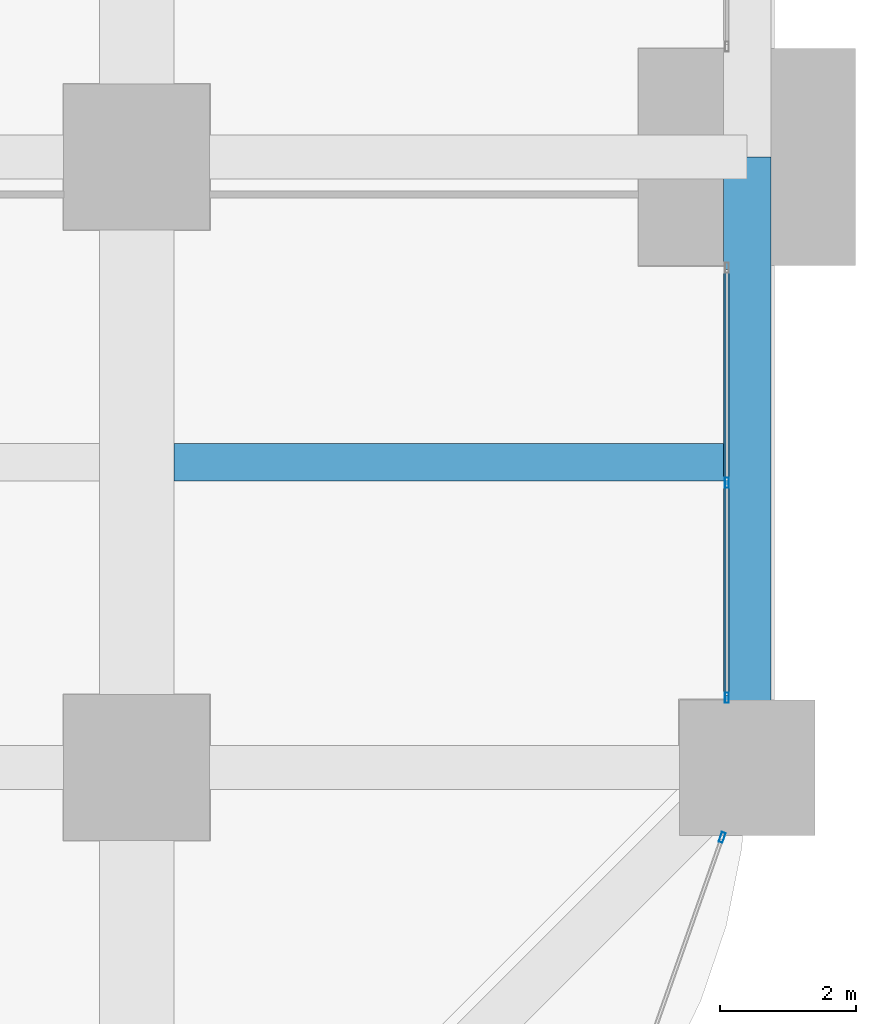
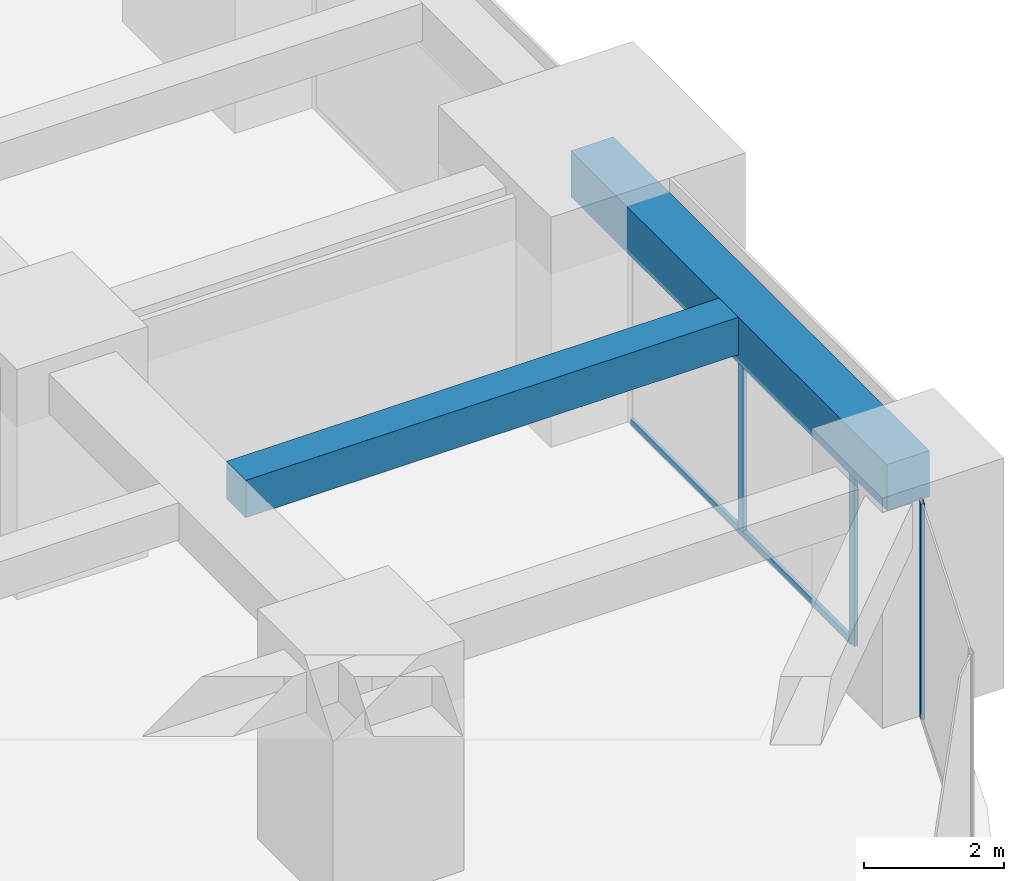
# One storey, part 19 of 41: 4 members, 2 beams, 2 elements without a shape of their own.
"""IFC4 building model written with IfcOpenShell, lengths in metres."""

import ifcopenshell
import ifcopenshell.guid

model = None  # the IFC model being written
_history = None  # IfcOwnerHistory: only IFC2X3 demands one
_inside = {}  # id of a spatial element -> (the spatial element, [elements in it])
_under = {}  # id of a project, library or spatial element -> (it, [spatial elements below it])
_declared = {}  # id of a project -> (the project, [libraries it declares])
_typed = {}  # id of a type object -> (the type object, [elements of that type])
_made_of = {}  # id of a material, layer set ... -> (it, [elements and type objects made of it])


def new_model(schema):
    """Start an empty IFC model of exactly this schema.

    Asked for "IFC4X3", IfcOpenShell would pick the latest addendum, in which some entities
    have other attributes; the version numbers below select the first issue.
    IFC2X3 requires an IfcOwnerHistory on every rooted entity: one is made here for all.
    """
    global model, _history
    if schema == "IFC4X3":
        model = ifcopenshell.file(schema_version=(4, 3, 0, 0))
    else:
        model = ifcopenshell.file(schema=schema)
    _inside.clear()
    _under.clear()
    _declared.clear()
    _typed.clear()
    _made_of.clear()
    _history = None
    if model.schema == "IFC2X3":
        org = make("IfcOrganization", Name="unknown")
        user = make(
            "IfcPersonAndOrganization",
            ThePerson=make("IfcPerson", FamilyName="unknown"),
            TheOrganization=org,
        )
        app = make(
            "IfcApplication",
            ApplicationDeveloper=org,
            Version="unknown",
            ApplicationFullName="unknown",
            ApplicationIdentifier="unknown",
        )
        _history = make(
            "IfcOwnerHistory",
            OwningUser=user,
            OwningApplication=app,
            ChangeAction="ADDED",
            CreationDate=0,
        )
    return model


def make(cls, **values):
    """One entity of the class cls with the attributes given. An attribute that is None is left unset."""
    return model.create_entity(
        cls, **{name: value for name, value in values.items() if value is not None}
    )


def rooted(cls, **values):
    """An entity with a GlobalId (a new one), such as an element, a storey or a relation."""
    return make(cls, GlobalId=ifcopenshell.guid.new(), OwnerHistory=_history, **values)


def si_unit(unit_type, name, prefix=None):
    """IfcSIUnit, for example si_unit("LENGTHUNIT", "METRE", prefix="MILLI")."""
    return make("IfcSIUnit", UnitType=unit_type, Prefix=prefix, Name=name)


def assignment(units):
    """IfcUnitAssignment: the units of a project."""
    return None if units is None else make("IfcUnitAssignment", Units=units)


def point(xyz):
    """IfcCartesianPoint."""
    return None if xyz is None else make("IfcCartesianPoint", Coordinates=xyz)


def direction(xyz):
    """IfcDirection."""
    return None if xyz is None else make("IfcDirection", DirectionRatios=xyz)


def frame(location, z_axis=None, x_axis=None):
    """IfcAxis2Placement3D, a coordinate frame: its origin and axes. An axis left out is left unset."""
    return make(
        "IfcAxis2Placement3D",
        Location=point(location),
        Axis=direction(z_axis),
        RefDirection=direction(x_axis),
    )


def frame_2d(location, x_axis=None):
    """IfcAxis2Placement2D, a coordinate frame in the plane: its origin and x axis."""
    return make(
        "IfcAxis2Placement2D", Location=point(location), RefDirection=direction(x_axis)
    )


def origin():
    """The frame at (0, 0, 0) with its axes left unset."""
    return frame((0.0, 0.0, 0.0))


def origin_2d():
    """The frame at (0, 0) in the plane with its x axis left unset."""
    return frame_2d((0.0, 0.0))


def place(relative_to, where):
    """IfcLocalPlacement: puts the frame where relative to a parent placement (None: the world)."""
    return make(
        "IfcLocalPlacement", PlacementRelTo=relative_to, RelativePlacement=where
    )


def context(
    kind, dimensions, precision=None, world=None, true_north=None, identifier=None
):
    """IfcGeometricRepresentationContext, for example the 3D "Model" context."""
    return make(
        "IfcGeometricRepresentationContext",
        ContextIdentifier=identifier,
        ContextType=kind,
        CoordinateSpaceDimension=dimensions,
        Precision=precision,
        WorldCoordinateSystem=world,
        TrueNorth=true_north,
    )


def subcontext(parent, identifier, kind, view, scale=None):
    """IfcGeometricRepresentationSubContext, for example "Body" below "Model"."""
    return make(
        "IfcGeometricRepresentationSubContext",
        ContextIdentifier=identifier,
        ContextType=kind,
        ParentContext=parent,
        TargetScale=scale,
        TargetView=view,
    )


def project(units=None, contexts=None):
    """IfcProject with its units and contexts."""
    return rooted(
        "IfcProject",
        Name="project",
        RepresentationContexts=contexts,
        UnitsInContext=assignment(units),
    )


def spatial(cls, under=None, at=None, **own):
    """A site, building, storey or space (cls), placed at a placement, below another one or the project."""
    s = rooted(cls, ObjectPlacement=at, **own)
    if under is not None:
        _under.setdefault(under.id(), (under, []))[1].append(s)
    return s


def profile(cls, at=None, kind="AREA", **sizes):
    """A parametric profile (cls). Its sizes go by their IFC names, for example OverallWidth=200.0."""
    return make(cls, ProfileType=kind, Position=at, **sizes)


def rectangle(**sizes):
    """IfcRectangleProfileDef."""
    return profile("IfcRectangleProfileDef", **sizes)


def hollow_rectangle(**sizes):
    """IfcRectangleHollowProfileDef."""
    return profile("IfcRectangleHollowProfileDef", **sizes)


def extrude(swept, where, along, depth):
    """IfcExtrudedAreaSolid: the profile swept, set in the frame where, extruded along a direction by depth."""
    return make(
        "IfcExtrudedAreaSolid",
        SweptArea=swept,
        Position=where,
        ExtrudedDirection=direction(along),
        Depth=depth,
    )


def shape(context_of_items, identifier, shape_type, items):
    """IfcShapeRepresentation: the items that make up one representation, for example the "Body"."""
    return make(
        "IfcShapeRepresentation",
        ContextOfItems=context_of_items,
        RepresentationIdentifier=identifier,
        RepresentationType=shape_type,
        Items=items,
    )


def material(Name=None, Category=None):
    """IfcMaterial."""
    return make("IfcMaterial", Name=Name, Category=Category)


def material_profile(
    of_material, cross_section, Name=None, Category=None, Priority=None
):
    """IfcMaterialProfile: a cross section and its material."""
    return make(
        "IfcMaterialProfile",
        Name=Name,
        Material=of_material,
        Profile=cross_section,
        Priority=Priority,
        Category=Category,
    )


def profile_set(profiles, Name=None, composite=None):
    """IfcMaterialProfileSet."""
    return make(
        "IfcMaterialProfileSet",
        Name=Name,
        MaterialProfiles=profiles,
        CompositeProfile=composite,
    )


def made_of(thing, what):
    """Note that an element or type object is made of a material, layer set ...; save() writes the relation."""
    if what is not None:
        _made_of.setdefault(what.id(), (what, []))[1].append(thing)
    return thing


def type_object(cls, material=None, **own):
    """A type object (cls), such as IfcWallType, which elements share."""
    return made_of(rooted(cls, **own), material)


def element(
    cls,
    number,
    at=None,
    inside=None,
    cuts=None,
    type_object=None,
    material=None,
    context=None,
    identifier="Body",
    shape_type=None,
    held_by="IfcProductDefinitionShape",
    body=None,
    shapes=None,
    **own,
):
    """One element of the class cls, such as IfcWall. Its Tag is "e" and its number.

    at: its placement. inside: the storey or other place that contains it. cuts: it is an
    opening in that element (IfcRelVoidsElement). A single representation is given by context,
    identifier, shape_type and body (its items); several are given by shapes. held_by: the class
    of the entity that holds the representations. save() writes the other relations.
    """
    e = rooted(cls, Tag="e%d" % number, ObjectPlacement=at, **own)
    if body is not None:
        shapes = [shape(context, identifier, shape_type, body)]
    if shapes is not None:
        e.Representation = make(held_by, Representations=shapes)
    if inside is not None:
        _inside.setdefault(inside.id(), (inside, []))[1].append(e)
    if cuts is not None:
        rooted(
            "IfcRelVoidsElement", RelatingBuildingElement=cuts, RelatedOpeningElement=e
        )
    if type_object is not None:
        _typed.setdefault(type_object.id(), (type_object, []))[1].append(e)
    return made_of(e, material)


def aggregate(whole, parts):
    """IfcRelAggregates: a whole, such as a stair, and the parts it consists of."""
    return rooted("IfcRelAggregates", RelatingObject=whole, RelatedObjects=parts)


def save(model, path):
    """Write the relations noted so far, then the file.

    IfcRelAggregates (storeys below a building ...), IfcRelContainedInSpatialStructure (elements
    in a storey), IfcRelDefinesByType, IfcRelAssociatesMaterial and IfcRelDeclares: one each for
    every whole, place, type object, material and project.
    """
    for whole, parts in _under.values():
        aggregate(whole, parts)
    for where, things in _inside.values():
        rooted(
            "IfcRelContainedInSpatialStructure",
            RelatedElements=things,
            RelatingStructure=where,
        )
    for kind, things in _typed.values():
        rooted("IfcRelDefinesByType", RelatedObjects=things, RelatingType=kind)
    for what, things in _made_of.values():
        rooted("IfcRelAssociatesMaterial", RelatedObjects=things, RelatingMaterial=what)
    for by, libraries in _declared.values():
        rooted("IfcRelDeclares", RelatingContext=by, RelatedDefinitions=libraries)
    model.write(path)


model = new_model("IFC4")

# Units and contexts
model_context = context("Model", 3, precision=1e-05, world=origin(), true_north=direction((0.0, 1.0)))
body_context = subcontext(model_context, "Body", "Model", "MODEL_VIEW")
ifc_project = project(units=[si_unit("LENGTHUNIT", "METRE"), si_unit("AREAUNIT", "SQUARE_METRE"), si_unit("VOLUMEUNIT", "CUBIC_METRE"), si_unit("PLANEANGLEUNIT", "RADIAN"), si_unit("MASSUNIT", "GRAM", prefix="KILO")], contexts=[model_context])

# Site, building, storey
site_placement = place(None, origin())
site = spatial("IfcSite", under=ifc_project, at=site_placement, CompositionType="ELEMENT")
building_placement = place(site_placement, origin())
building = spatial("IfcBuilding", under=site, at=building_placement, Name="Zorevar Civic Tower", CompositionType="ELEMENT")
storey_placement = place(building_placement, frame((0.0, 0.0, 89.0)))
storey = spatial("IfcBuildingStorey", under=building, at=storey_placement, Name="L21", CompositionType="ELEMENT", Elevation=89.0)

# Beam
ifc_material_1 = material(Name="Concrete C50/60", Category="concrete")
ifc_material_profile_1 = material_profile(ifc_material_1, rectangle(XDim=0.550048828125, YDim=0.64990234375, at=origin_2d()), Name="RC 550x650")
ifc_profile_set_1 = profile_set([ifc_material_profile_1], Name="Concrete C50/60")
beam_type_1 = type_object("IfcBeamType", Name="Beam RC 550x650", PredefinedType="BEAM", material=ifc_profile_set_1)
beam_1_placement = place(storey_placement, frame((54.550048828125, 13.5, 3.425048828125), z_axis=(1.0, 0.0, 0.0), x_axis=(0.0, 1.0, 0.0)))
element("IfcBeam", 1, at=beam_1_placement, inside=storey, type_object=beam_type_1, Name="Secondary beam L22", PredefinedType="BEAM", context=body_context, shape_type="SweptSolid", body=[
    extrude(rectangle(XDim=0.550048828125, YDim=0.64990234375, at=origin_2d()), origin(), (0.0, 0.0, 1.0), 8.099853515625),
])

# Curtain wall, members
ifc_material_2 = material(Name="Dark grey solar-control glass in black aluminium frame", Category="aluminium")
curtain_wall_type = type_object("IfcCurtainWallType", Name="Curtain wall CW3 mid zone", PredefinedType="NOTDEFINED", material=ifc_material_2)
curtain_wall_1_placement = place(storey_placement, origin())
curtain_wall_1 = element("IfcCurtainWall", 2, at=curtain_wall_1_placement, inside=storey, type_object=curtain_wall_type, Name="CW3 L21", PredefinedType="NOTDEFINED")
ifc_material_3 = material(Name="Aluminium, black anodised", Category="aluminium")
ifc_material_profile_2 = material_profile(ifc_material_3, hollow_rectangle(XDim=0.06005859375, YDim=0.14990234375, WallThickness=0.00390625, at=origin_2d()), Name="AL 150x60x4")
ifc_profile_set_2 = profile_set([ifc_material_profile_2], Name="Aluminium, black anodised")
member_type_1 = type_object("IfcMemberType", Name="CW3 mullion AL 150x60x4", PredefinedType="MULLION", material=ifc_profile_set_2)
member_1_placement = place(storey_placement, frame((62.699951171875, 10.030029296875, 0.0), z_axis=(0.0, 0.0, 1.0), x_axis=(-1.0, 0.0, 0.0)))
member_1 = element("IfcMember", 3, at=member_1_placement, type_object=member_type_1, Name="CW3 mullion 1", PredefinedType="MULLION", context=body_context, shape_type="SweptSolid", body=[
    extrude(hollow_rectangle(XDim=0.06005859375, YDim=0.14990234375, WallThickness=0.00390625, at=origin_2d()), origin(), (0.0, 0.0, 1.0), 2.949951171875),
])
member_2_placement = place(storey_placement, frame((62.699951171875, 13.199951171875, 0.06005859375), z_axis=(0.0, 0.0, 1.0), x_axis=(-1.0, 0.0, 0.0)))
member_2 = element("IfcMember", 4, at=member_2_placement, type_object=member_type_1, Name="CW3 mullion 2", PredefinedType="MULLION", context=body_context, shape_type="SweptSolid", body=[
    extrude(hollow_rectangle(XDim=0.06005859375, YDim=0.14990234375, WallThickness=0.00390625, at=origin_2d()), origin(), (0.0, 0.0, 1.0), 2.889892578125),
])

# Curtain wall, member
curtain_wall_2_placement = place(storey_placement, origin())
curtain_wall_2 = element("IfcCurtainWall", 5, at=curtain_wall_2_placement, inside=storey, type_object=curtain_wall_type, Name="CW3 L21", PredefinedType="NOTDEFINED")
member_3_placement = place(storey_placement, frame((62.63232421875, 7.9716796875, 0.0), z_axis=(0.0, 0.0, 1.0), x_axis=(-0.943219107653, 0.33217121332, 0.0)))
member_3 = element("IfcMember", 6, at=member_3_placement, type_object=member_type_1, Name="CW3 mullion 2", PredefinedType="MULLION", context=body_context, shape_type="SweptSolid", body=[
    extrude(hollow_rectangle(XDim=0.06005859375, YDim=0.14990234375, WallThickness=0.00390625, at=origin_2d()), origin(), (0.0, 0.0, 1.0), 3.75),
])
aggregate(curtain_wall_2, [member_3])

# Member
ifc_material_4 = material(Name="Aluminium, black anodised", Category="aluminium")
ifc_material_profile_3 = material_profile(ifc_material_4, hollow_rectangle(XDim=0.06005859375, YDim=0.1201171875, WallThickness=0.0029296875, at=origin_2d()), Name="AL 120x60x3")
ifc_profile_set_3 = profile_set([ifc_material_profile_3], Name="Aluminium, black anodised")
member_type_2 = type_object("IfcMemberType", Name="CW3 transom AL 120x60x3", PredefinedType="USERDEFINED", material=ifc_profile_set_3)
member_4_placement = place(storey_placement, frame((62.699951171875, 10.06005859375, 0.030029296875), z_axis=(0.0, 1.0, 0.0), x_axis=(-1.0, 0.0, 0.0)))
member_4 = element("IfcMember", 7, at=member_4_placement, type_object=member_type_2, Name="CW3 sill transom", ObjectType="TRANSOM", PredefinedType="USERDEFINED", context=body_context, shape_type="SweptSolid", body=[
    extrude(hollow_rectangle(XDim=0.06005859375, YDim=0.1201171875, WallThickness=0.0029296875, at=origin_2d()), origin(), (0.0, 0.0, 1.0), 6.280029296875),
])

aggregate(curtain_wall_1, [member_1, member_2, member_4])

# Beam
ifc_material_5 = material(Name="Concrete C50/60", Category="concrete")
ifc_material_profile_4 = material_profile(ifc_material_5, rectangle(XDim=0.699951171875, YDim=0.800048828125, at=origin_2d()), Name="RC 700x800")
ifc_profile_set_4 = profile_set([ifc_material_profile_4], Name="Concrete C50/60")
beam_type_2 = type_object("IfcBeamType", Name="Edge beam RC 700x800", PredefinedType="SPANDREL", material=ifc_profile_set_4)
beam_2_placement = place(storey_placement, frame((63.0, 9.0, 3.35009765625), z_axis=(0.0, 1.0, 0.0), x_axis=(-1.0, 0.0, 0.0)))
element("IfcBeam", 8, at=beam_2_placement, inside=storey, type_object=beam_type_2, Name="Edge beam L22", PredefinedType="SPANDREL", context=body_context, shape_type="SweptSolid", body=[
    extrude(rectangle(XDim=0.699951171875, YDim=0.800048828125, at=origin_2d()), origin(), (0.0, 0.0, 1.0), 9.0),
])

save(model, "model.ifc")
